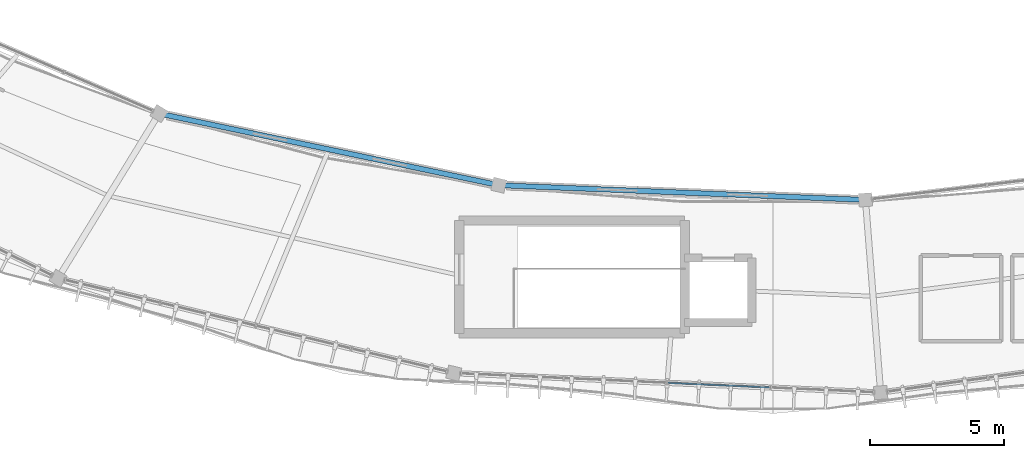
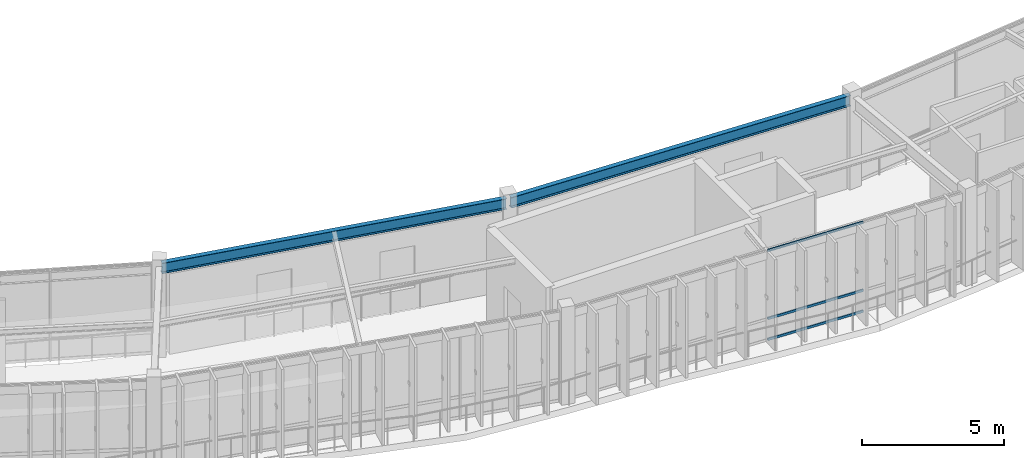
# One storey, part 17 of 78: 3 members, 2 beams, 1 element without a shape of its own.
"""IFC4 building model written with IfcOpenShell, lengths in metres."""

from ifc_helpers import new_model, si_unit, direction, frame, origin, origin_2d, place, context, subcontext, project, spatial, hollow_rectangle, i_section, extrude, material, material_profile, profile_set, type_object, element, aggregate, save


model = new_model("IFC4")

# Units and contexts
model_context = context("Model", 3, precision=1e-05, world=origin(), true_north=direction((0.0, 1.0)))
body_context = subcontext(model_context, "Body", "Model", "MODEL_VIEW")
ifc_project = project(units=[si_unit("LENGTHUNIT", "METRE"), si_unit("AREAUNIT", "SQUARE_METRE"), si_unit("VOLUMEUNIT", "CUBIC_METRE"), si_unit("PLANEANGLEUNIT", "RADIAN"), si_unit("MASSUNIT", "GRAM", prefix="KILO"), si_unit("THERMODYNAMICTEMPERATUREUNIT", "KELVIN"), si_unit("POWERUNIT", "WATT")], contexts=[model_context])

# Site, building, storey
site_placement = place(None, origin())
site = spatial("IfcSite", under=ifc_project, at=site_placement, CompositionType="ELEMENT")
building_placement = place(site_placement, origin())
building = spatial("IfcBuilding", under=site, at=building_placement, Name="Darbajah Civic Hall", CompositionType="ELEMENT")
storey_placement = place(building_placement, frame((0.0, 0.0, 26.39990234375)))
storey = spatial("IfcBuildingStorey", under=building, at=storey_placement, Name="L06", CompositionType="ELEMENT", Elevation=26.39990234375)

# Curtain wall, members
ifc_material_1 = material(Name="Anodised Bronze Aluminium and Low-E Glazing", Category="aluminium")
curtain_wall_type = type_object("IfcCurtainWallType", Name="Unitised Curtain Wall CW-84 15400x3900", PredefinedType="USERDEFINED", material=ifc_material_1)
curtain_wall_placement = place(storey_placement, origin())
curtain_wall = element("IfcCurtainWall", 1, at=curtain_wall_placement, inside=storey, type_object=curtain_wall_type, Name="L06 unitised curtain wall CW-V1O-L06-14", ObjectType="UNITISED CURTAIN WALL", PredefinedType="USERDEFINED")
ifc_material_2 = material(Name="Anodised Bronze Aluminium", Category="aluminium")
ifc_material_profile_1 = material_profile(ifc_material_2, hollow_rectangle(XDim=0.054931640625, YDim=0.10009765625, WallThickness=0.0029296875, at=origin_2d()), Name="ALU TRANSOM 55x100")
ifc_profile_set_1 = profile_set([ifc_material_profile_1], Name="Anodised Bronze Aluminium")
member_type = type_object("IfcMemberType", Name="ALU TRANSOM 55x100", PredefinedType="USERDEFINED", material=ifc_profile_set_1)
member_1_placement = place(storey_placement, frame((85.180419921875, 60.75146484375, 0.050048828125), z_axis=(0.998965216906, -0.045480714718, 0.0), x_axis=(0.045480714718, 0.998965216906, 0.0)))
member_1 = element("IfcMember", 2, at=member_1_placement, type_object=member_type, Name="CW-V1O-L06-14 transom 3.1", ObjectType="TRANSOM", PredefinedType="USERDEFINED", context=body_context, shape_type="SweptSolid", body=[
    extrude(hollow_rectangle(XDim=0.054931640625, YDim=0.10009765625, WallThickness=0.0029296875, at=origin_2d()), origin(), (0.0, 0.0, 1.0), 3.789794921875),
])
member_2_placement = place(storey_placement, frame((85.180419921875, 60.75146484375, 0.9501953125), z_axis=(0.998965216906, -0.045480714718, 0.0), x_axis=(0.045480714718, 0.998965216906, 0.0)))
member_2 = element("IfcMember", 3, at=member_2_placement, type_object=member_type, Name="CW-V1O-L06-14 transom 3.2", ObjectType="TRANSOM", PredefinedType="USERDEFINED", context=body_context, shape_type="SweptSolid", body=[
    extrude(hollow_rectangle(XDim=0.054931640625, YDim=0.10009765625, WallThickness=0.0029296875, at=origin_2d()), origin(), (0.0, 0.0, 1.0), 3.789794921875),
])
member_3_placement = place(storey_placement, frame((85.180419921875, 60.75146484375, 3.8701171875), z_axis=(0.998965216906, -0.045480714718, 0.0), x_axis=(0.045480714718, 0.998965216906, 0.0)))
member_3 = element("IfcMember", 4, at=member_3_placement, type_object=member_type, Name="CW-V1O-L06-14 transom 3.3", ObjectType="TRANSOM", PredefinedType="USERDEFINED", context=body_context, shape_type="SweptSolid", body=[
    extrude(hollow_rectangle(XDim=0.054931640625, YDim=0.10009765625, WallThickness=0.0029296875, at=origin_2d()), origin(), (0.0, 0.0, 1.0), 3.789794921875),
])
aggregate(curtain_wall, [member_1, member_2, member_3])

# Beams
ifc_material_3 = material(Name="Steel S355JR", Category="steel")
ifc_material_profile_2 = material_profile(ifc_material_3, i_section(OverallWidth=0.1904296875, OverallDepth=0.45703125, WebThickness=0.009033203125, FlangeThickness=0.014404296875, FilletRadius=0.01025390625, at=origin_2d()), Name="UB 457x191x74")
ifc_profile_set_2 = profile_set([ifc_material_profile_2], Name="Steel S355JR")
beam_type = type_object("IfcBeamType", Name="UB 457x191x74", PredefinedType="BEAM", material=ifc_profile_set_2)
beam_1_placement = place(storey_placement, frame((66.29296875, 70.76953125, 3.691650390625), z_axis=(0.97848162244, -0.206333987862, 0.0), x_axis=(0.206333987862, 0.97848162244, 0.0)))
element("IfcBeam", 5, at=beam_1_placement, inside=storey, type_object=beam_type, Name="L06 beam SB-457", PredefinedType="BEAM", context=body_context, shape_type="SweptSolid", body=[
    extrude(i_section(OverallWidth=0.1904296875, OverallDepth=0.45703125, WebThickness=0.009033203125, FlangeThickness=0.014404296875, FilletRadius=0.01025390625, at=origin_2d()), origin(), (0.0, 0.0, 1.0), 12.77880859375),
])
beam_2_placement = place(storey_placement, frame((78.955078125, 68.113037109375, 3.691650390625), z_axis=(0.999198127678, -0.04003875178, 0.0), x_axis=(0.04003875178, 0.999198127678, 0.0)))
element("IfcBeam", 6, at=beam_2_placement, inside=storey, type_object=beam_type, Name="L06 beam SB-457", PredefinedType="BEAM", context=body_context, shape_type="SweptSolid", body=[
    extrude(i_section(OverallWidth=0.1904296875, OverallDepth=0.45703125, WebThickness=0.009033203125, FlangeThickness=0.014404296875, FilletRadius=0.01025390625, at=origin_2d()), origin(), (0.0, 0.0, 1.0), 13.51220703125),
])

save(model, "model.ifc")
